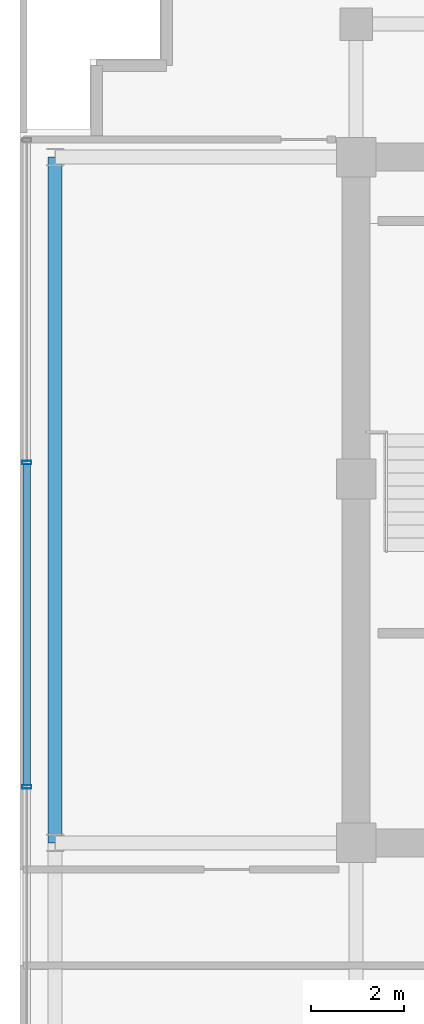
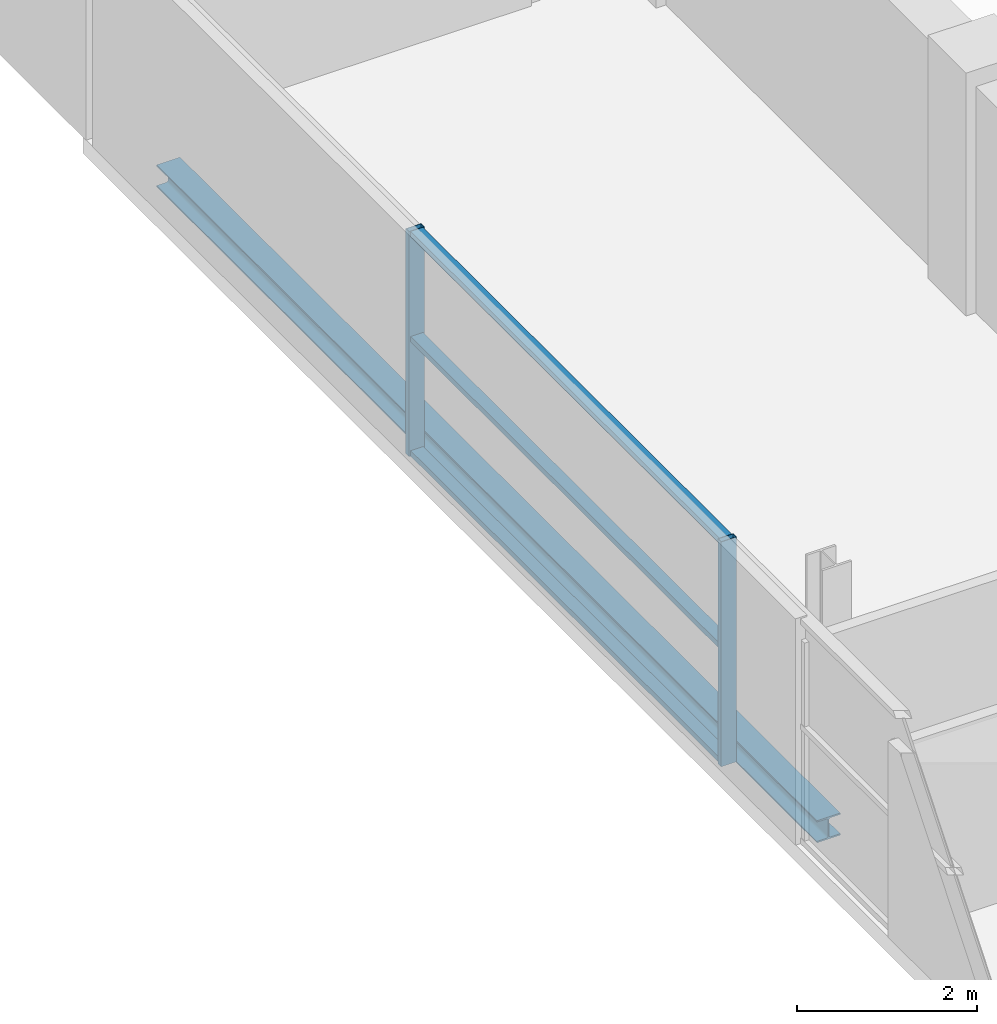
# One storey, part 9 of 29: 5 members, 1 beam, 1 element without a shape of its own.
"""IFC4 building model written with IfcOpenShell, lengths in metres."""

from ifc_helpers import new_model, si_unit, direction, frame, origin, origin_2d, place, context, subcontext, project, spatial, hollow_rectangle, i_section, extrude, source, transform, mapped, material, layer, layer_set, material_profile, profile_set, type_object, element, aggregate, save


model = new_model("IFC4")

# Units and contexts
model_context = context("Model", 3, precision=1e-05, world=origin(), true_north=direction((0.0, 1.0)))
body_context = subcontext(model_context, "Body", "Model", "MODEL_VIEW")
ifc_project = project(units=[si_unit("LENGTHUNIT", "METRE"), si_unit("AREAUNIT", "SQUARE_METRE"), si_unit("VOLUMEUNIT", "CUBIC_METRE"), si_unit("PLANEANGLEUNIT", "RADIAN"), si_unit("MASSUNIT", "GRAM", prefix="KILO")], contexts=[model_context])

# Site, building, storey
site_placement = place(None, origin())
site = spatial("IfcSite", under=ifc_project, at=site_placement, CompositionType="ELEMENT")
building_placement = place(site_placement, origin())
building = spatial("IfcBuilding", under=site, at=building_placement, Name="Zarnakvel Exchange Tower", CompositionType="ELEMENT")
storey_placement = place(building_placement, frame((0.0, 0.0, 265.0)))
storey = spatial("IfcBuildingStorey", under=building, at=storey_placement, Name="L75", CompositionType="ELEMENT", Elevation=265.0)

# Beam
ifc_material_1 = material(Name="Steel S355", Category="steel")
ifc_material_profile_1 = material_profile(ifc_material_1, i_section(OverallWidth=0.300048828125, OverallDepth=0.300048828125, WebThickness=0.010986328125, FlangeThickness=0.01904296875, FilletRadius=0.027099609375, at=origin_2d()))
ifc_profile_set_1 = profile_set([ifc_material_profile_1], Name="Steel S355")
beam_type = type_object("IfcBeamType", Name="SP-03", PredefinedType="SPANDREL", material=ifc_profile_set_1)
beam_placement = place(storey_placement, frame((-20.85009765625, -1.199951171875, -0.375), z_axis=(0.0, 1.0, 0.0), x_axis=(-1.0, 0.0, 0.0)))
element("IfcBeam", 1, at=beam_placement, inside=storey, type_object=beam_type, Name="L75 Tower N-S Frame Beam", PredefinedType="SPANDREL", context=body_context, shape_type="SweptSolid", body=[
    extrude(i_section(OverallWidth=0.300048828125, OverallDepth=0.300048828125, WebThickness=0.010986328125, FlangeThickness=0.01904296875, FilletRadius=0.027099609375, at=origin_2d()), origin(), (0.0, 0.0, 1.0), 14.699951171875),
])

# Curtain wall, members
ifc_material_2 = material(Name="Architectural Bronze Anodised Aluminium", Category="aluminium")
ifc_layer = layer(ifc_material_2, 0.199951171875)
ifc_layer_set = layer_set([ifc_layer], Name="Architectural Bronze Anodised Aluminium")
curtain_wall_type = type_object("IfcCurtainWallType", Name="CW-04", PredefinedType="NOTDEFINED", material=ifc_layer_set)
curtain_wall_placement = place(storey_placement, origin())
curtain_wall = element("IfcCurtainWall", 2, at=curtain_wall_placement, inside=storey, type_object=curtain_wall_type, Name="L75 Curtain Wall CW-L75-W1 (CW-04)", PredefinedType="NOTDEFINED")
ifc_material_profile_2 = material_profile(ifc_material_2, hollow_rectangle(XDim=0.199951171875, YDim=0.074951171875, WallThickness=0.0048828125, at=origin_2d()))
ifc_profile_set_2 = profile_set([ifc_material_profile_2], Name="Architectural Bronze Anodised Aluminium")
member_type_1 = type_object("IfcMemberType", Name="CWM-04", PredefinedType="MULLION", material=ifc_profile_set_2)
shared_shape_1 = source(origin(), body_context, "Body", "SweptSolid", [
    extrude(hollow_rectangle(XDim=0.199951171875, YDim=0.074951171875, WallThickness=0.0048828125, at=origin_2d()), origin(), (0.0, 0.0, 1.0), 3.054931640625),
])
member_1_placement = place(storey_placement, frame((-21.4599609375, 0.0, 0.0), z_axis=(0.0, 0.0, 1.0), x_axis=(-1.0, 0.0, 0.0)))
member_1 = element("IfcMember", 3, at=member_1_placement, type_object=member_type_1, Name="CW-04 mullion 3", PredefinedType="MULLION", context=body_context, shape_type="MappedRepresentation", body=[
    mapped(shared_shape_1, transform((0.0, 0.0, 0.0), x_axis=(1.0, 0.0, 0.0), y_axis=(0.0, 1.0, 0.0), z_axis=(0.0, 0.0, 1.0), scale=1.0)),
])
member_2_placement = place(storey_placement, frame((-21.4599609375, 6.949951171875, 0.0), z_axis=(0.0, 0.0, 1.0), x_axis=(-1.0, 0.0, 0.0)))
member_2 = element("IfcMember", 4, at=member_2_placement, type_object=member_type_1, Name="CW-04 mullion 4", PredefinedType="MULLION", context=body_context, shape_type="MappedRepresentation", body=[
    mapped(shared_shape_1, transform((0.0, 0.0, 0.0), x_axis=(1.0, 0.0, 0.0), y_axis=(0.0, 1.0, 0.0), z_axis=(0.0, 0.0, 1.0), scale=1.0)),
])
ifc_material_profile_3 = material_profile(ifc_material_2, hollow_rectangle(XDim=0.159912109375, YDim=0.074951171875, WallThickness=0.00390625, at=origin_2d()))
ifc_profile_set_3 = profile_set([ifc_material_profile_3], Name="Architectural Bronze Anodised Aluminium")
member_type_2 = type_object("IfcMemberType", Name="CWT-04", PredefinedType="USERDEFINED", material=ifc_profile_set_3)
shared_shape_2 = source(origin(), body_context, "Body", "SweptSolid", [
    extrude(hollow_rectangle(XDim=0.159912109375, YDim=0.074951171875, WallThickness=0.00390625, at=origin_2d()), origin(), (0.0, 0.0, 1.0), 6.875),
])
member_3_placement = place(storey_placement, frame((-21.4599609375, 0.03759765625, 0.03759765625), z_axis=(0.0, 1.0, 0.0), x_axis=(-1.0, 0.0, 0.0)))
member_3 = element("IfcMember", 5, at=member_3_placement, type_object=member_type_2, Name="CW-04 transom 3.1", ObjectType="TRANSOM", PredefinedType="USERDEFINED", context=body_context, shape_type="MappedRepresentation", body=[
    mapped(shared_shape_2, transform((0.0, 0.0, 0.0), x_axis=(1.0, 0.0, 0.0), y_axis=(0.0, 1.0, 0.0), z_axis=(0.0, 0.0, 1.0), scale=1.0)),
])
member_4_placement = place(storey_placement, frame((-21.4599609375, 0.03759765625, 1.588623046875), z_axis=(0.0, 1.0, 0.0), x_axis=(-1.0, 0.0, 0.0)))
member_4 = element("IfcMember", 6, at=member_4_placement, type_object=member_type_2, Name="CW-04 transom 3.2", ObjectType="TRANSOM", PredefinedType="USERDEFINED", context=body_context, shape_type="MappedRepresentation", body=[
    mapped(shared_shape_2, transform((0.0, 0.0, 0.0), x_axis=(1.0, 0.0, 0.0), y_axis=(0.0, 1.0, 0.0), z_axis=(0.0, 0.0, 1.0), scale=1.0)),
])
member_5_placement = place(storey_placement, frame((-21.4599609375, 0.03759765625, 3.017578125), z_axis=(0.0, 1.0, 0.0), x_axis=(-1.0, 0.0, 0.0)))
member_5 = element("IfcMember", 7, at=member_5_placement, type_object=member_type_2, Name="CW-04 transom 3.3", ObjectType="TRANSOM", PredefinedType="USERDEFINED", context=body_context, shape_type="MappedRepresentation", body=[
    mapped(shared_shape_2, transform((0.0, 0.0, 0.0), x_axis=(1.0, 0.0, 0.0), y_axis=(0.0, 1.0, 0.0), z_axis=(0.0, 0.0, 1.0), scale=1.0)),
])
aggregate(curtain_wall, [member_1, member_2, member_3, member_4, member_5])

save(model, "model.ifc")
